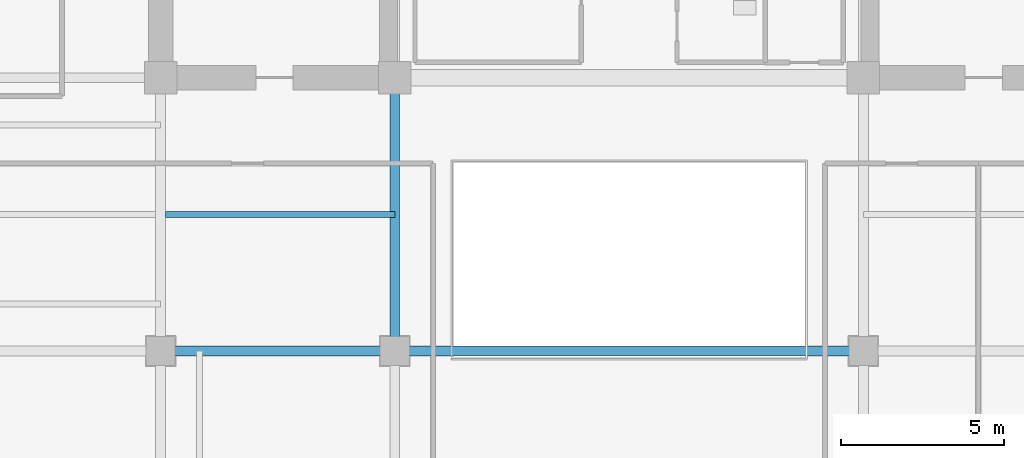
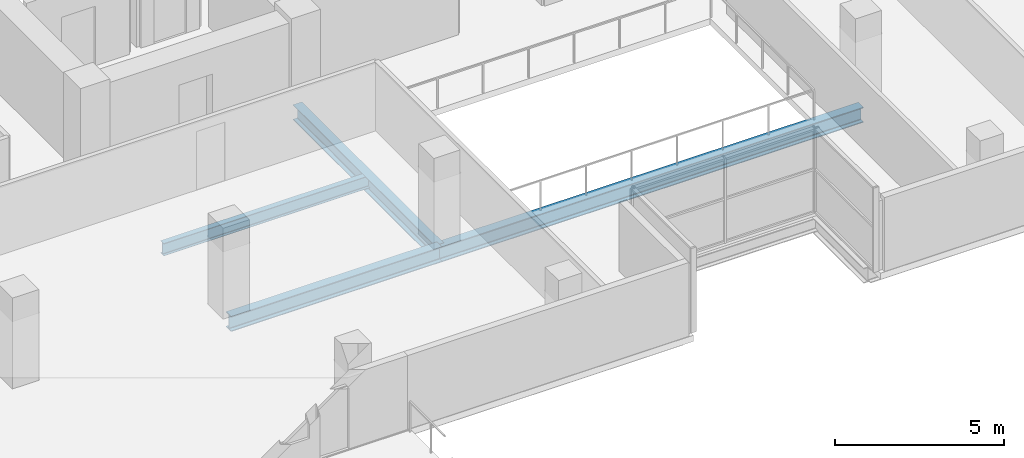
# One storey, part 4 of 23: 4 beams.
"""IFC4 building model written with IfcOpenShell, lengths in metres."""

from ifc_helpers import new_model, si_unit, direction, frame, origin, origin_2d, place, context, subcontext, project, spatial, i_section, extrude, material, material_profile, profile_set, type_object, element, save


model = new_model("IFC4")

# Units and contexts
model_context = context("Model", 3, precision=1e-05, world=origin(), true_north=direction((0.0, 1.0)))
body_context = subcontext(model_context, "Body", "Model", "MODEL_VIEW")
ifc_project = project(units=[si_unit("LENGTHUNIT", "METRE"), si_unit("AREAUNIT", "SQUARE_METRE"), si_unit("VOLUMEUNIT", "CUBIC_METRE"), si_unit("PLANEANGLEUNIT", "RADIAN"), si_unit("MASSUNIT", "GRAM", prefix="KILO")], contexts=[model_context])

# Site, building, storey
site_placement = place(None, origin())
site = spatial("IfcSite", under=ifc_project, at=site_placement, CompositionType="ELEMENT")
building_placement = place(site_placement, origin())
building = spatial("IfcBuilding", under=site, at=building_placement, Name="Zarnakvel Exchange Tower", CompositionType="ELEMENT")
storey_placement = place(building_placement, frame((0.0, 0.0, 123.10009765625)))
storey = spatial("IfcBuildingStorey", under=building, at=storey_placement, Name="L34", CompositionType="ELEMENT", Elevation=123.10009765625)

# Beams
ifc_material = material(Name="Steel S355", Category="steel")
ifc_material_profile_1 = material_profile(ifc_material, i_section(OverallWidth=0.18994140625, OverallDepth=0.449951171875, WebThickness=0.009521484375, FlangeThickness=0.0146484375, FilletRadius=0.02099609375, at=origin_2d()))
ifc_profile_set_1 = profile_set([ifc_material_profile_1], Name="Steel S355")
beam_type_1 = type_object("IfcBeamType", Name="B-05", PredefinedType="JOIST", material=ifc_profile_set_1)
beam_1_placement = place(storey_placement, frame((-14.25, -5.39990234375, -0.4501953125), z_axis=(1.0, 0.0, 0.0), x_axis=(0.0, 1.0, 0.0)))
element("IfcBeam", 1, at=beam_1_placement, inside=storey, type_object=beam_type_1, Name="L34 Composite Floor Secondary Joist", PredefinedType="JOIST", context=body_context, shape_type="SweptSolid", body=[
    extrude(i_section(OverallWidth=0.18994140625, OverallDepth=0.449951171875, WebThickness=0.009521484375, FlangeThickness=0.0146484375, FilletRadius=0.02099609375, at=origin_2d()), origin(), (0.0, 0.0, 1.0), 7.050048828125),
])
ifc_material_profile_2 = material_profile(ifc_material, i_section(OverallWidth=0.300048828125, OverallDepth=0.550048828125, WebThickness=0.014892578125, FlangeThickness=0.029052734375, FilletRadius=0.027099609375, at=origin_2d()))
ifc_profile_set_2 = profile_set([ifc_material_profile_2], Name="Steel S355")
beam_type_2 = type_object("IfcBeamType", Name="G-05", PredefinedType="BEAM", material=ifc_profile_set_2)
beam_2_placement = place(storey_placement, frame((-14.39990234375, -9.60009765625, -0.5), z_axis=(1.0, 0.0, 0.0), x_axis=(0.0, 1.0, 0.0)))
element("IfcBeam", 2, at=beam_2_placement, inside=storey, type_object=beam_type_2, Name="L34 Tower E-W Frame Beam", PredefinedType="BEAM", context=body_context, shape_type="SweptSolid", body=[
    extrude(i_section(OverallWidth=0.300048828125, OverallDepth=0.550048828125, WebThickness=0.014892578125, FlangeThickness=0.029052734375, FilletRadius=0.027099609375, at=origin_2d()), origin(), (0.0, 0.0, 1.0), 7.199951171875),
])
beam_3_placement = place(storey_placement, frame((-7.199951171875, -9.60009765625, -0.5), z_axis=(1.0, 0.0, 0.0), x_axis=(0.0, 1.0, 0.0)))
element("IfcBeam", 3, at=beam_3_placement, inside=storey, type_object=beam_type_2, Name="L34 Tower E-W Frame Beam", PredefinedType="BEAM", context=body_context, shape_type="SweptSolid", body=[
    extrude(i_section(OverallWidth=0.300048828125, OverallDepth=0.550048828125, WebThickness=0.014892578125, FlangeThickness=0.029052734375, FilletRadius=0.027099609375, at=origin_2d()), origin(), (0.0, 0.0, 1.0), 14.39990234375),
])
beam_4_placement = place(storey_placement, frame((-7.199951171875, -9.60009765625, -0.5), z_axis=(0.0, 1.0, 0.0), x_axis=(-1.0, 0.0, 0.0)))
element("IfcBeam", 4, at=beam_4_placement, inside=storey, type_object=beam_type_2, Name="L34 Tower N-S Frame Beam", PredefinedType="BEAM", context=body_context, shape_type="SweptSolid", body=[
    extrude(i_section(OverallWidth=0.300048828125, OverallDepth=0.550048828125, WebThickness=0.014892578125, FlangeThickness=0.029052734375, FilletRadius=0.027099609375, at=origin_2d()), origin(), (0.0, 0.0, 1.0), 8.400146484375),
])

save(model, "model.ifc")
